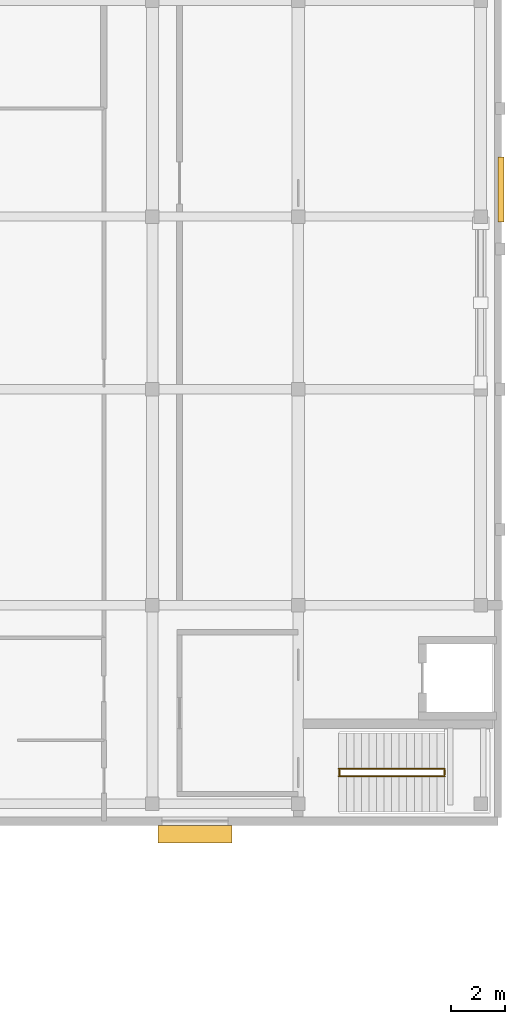
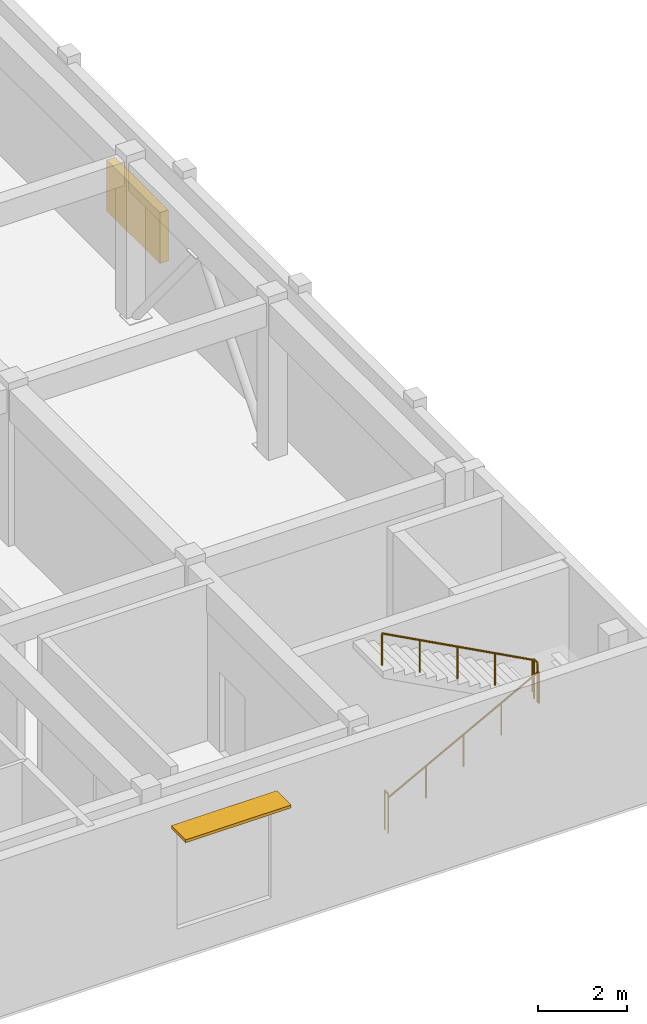
# One storey, part 10 of 11: 4 railings, 2 shading devices.
"""IFC4 building model written with IfcOpenShell, lengths in metres."""

import ifcopenshell
import ifcopenshell.guid

model = None  # the IFC model being written
_history = None  # IfcOwnerHistory: only IFC2X3 demands one
_inside = {}  # id of a spatial element -> (the spatial element, [elements in it])
_under = {}  # id of a project, library or spatial element -> (it, [spatial elements below it])
_declared = {}  # id of a project -> (the project, [libraries it declares])
_typed = {}  # id of a type object -> (the type object, [elements of that type])
_made_of = {}  # id of a material, layer set ... -> (it, [elements and type objects made of it])


def new_model(schema):
    """Start an empty IFC model of exactly this schema.

    Asked for "IFC4X3", IfcOpenShell would pick the latest addendum, in which some entities
    have other attributes; the version numbers below select the first issue.
    IFC2X3 requires an IfcOwnerHistory on every rooted entity: one is made here for all.
    """
    global model, _history
    if schema == "IFC4X3":
        model = ifcopenshell.file(schema_version=(4, 3, 0, 0))
    else:
        model = ifcopenshell.file(schema=schema)
    _inside.clear()
    _under.clear()
    _declared.clear()
    _typed.clear()
    _made_of.clear()
    _history = None
    if model.schema == "IFC2X3":
        org = make("IfcOrganization", Name="unknown")
        user = make(
            "IfcPersonAndOrganization",
            ThePerson=make("IfcPerson", FamilyName="unknown"),
            TheOrganization=org,
        )
        app = make(
            "IfcApplication",
            ApplicationDeveloper=org,
            Version="unknown",
            ApplicationFullName="unknown",
            ApplicationIdentifier="unknown",
        )
        _history = make(
            "IfcOwnerHistory",
            OwningUser=user,
            OwningApplication=app,
            ChangeAction="ADDED",
            CreationDate=0,
        )
    return model


def make(cls, **values):
    """One entity of the class cls with the attributes given. An attribute that is None is left unset."""
    return model.create_entity(
        cls, **{name: value for name, value in values.items() if value is not None}
    )


def rooted(cls, **values):
    """An entity with a GlobalId (a new one), such as an element, a storey or a relation."""
    return make(cls, GlobalId=ifcopenshell.guid.new(), OwnerHistory=_history, **values)


def si_unit(unit_type, name, prefix=None):
    """IfcSIUnit, for example si_unit("LENGTHUNIT", "METRE", prefix="MILLI")."""
    return make("IfcSIUnit", UnitType=unit_type, Prefix=prefix, Name=name)


def assignment(units):
    """IfcUnitAssignment: the units of a project."""
    return None if units is None else make("IfcUnitAssignment", Units=units)


def point(xyz):
    """IfcCartesianPoint."""
    return None if xyz is None else make("IfcCartesianPoint", Coordinates=xyz)


def direction(xyz):
    """IfcDirection."""
    return None if xyz is None else make("IfcDirection", DirectionRatios=xyz)


def frame(location, z_axis=None, x_axis=None):
    """IfcAxis2Placement3D, a coordinate frame: its origin and axes. An axis left out is left unset."""
    return make(
        "IfcAxis2Placement3D",
        Location=point(location),
        Axis=direction(z_axis),
        RefDirection=direction(x_axis),
    )


def frame_2d(location, x_axis=None):
    """IfcAxis2Placement2D, a coordinate frame in the plane: its origin and x axis."""
    return make(
        "IfcAxis2Placement2D", Location=point(location), RefDirection=direction(x_axis)
    )


def origin():
    """The frame at (0, 0, 0) with its axes left unset."""
    return frame((0.0, 0.0, 0.0))


def origin_2d():
    """The frame at (0, 0) in the plane with its x axis left unset."""
    return frame_2d((0.0, 0.0))


def place(relative_to, where):
    """IfcLocalPlacement: puts the frame where relative to a parent placement (None: the world)."""
    return make(
        "IfcLocalPlacement", PlacementRelTo=relative_to, RelativePlacement=where
    )


def context(
    kind, dimensions, precision=None, world=None, true_north=None, identifier=None
):
    """IfcGeometricRepresentationContext, for example the 3D "Model" context."""
    return make(
        "IfcGeometricRepresentationContext",
        ContextIdentifier=identifier,
        ContextType=kind,
        CoordinateSpaceDimension=dimensions,
        Precision=precision,
        WorldCoordinateSystem=world,
        TrueNorth=true_north,
    )


def subcontext(parent, identifier, kind, view, scale=None):
    """IfcGeometricRepresentationSubContext, for example "Body" below "Model"."""
    return make(
        "IfcGeometricRepresentationSubContext",
        ContextIdentifier=identifier,
        ContextType=kind,
        ParentContext=parent,
        TargetScale=scale,
        TargetView=view,
    )


def project(units=None, contexts=None):
    """IfcProject with its units and contexts."""
    return rooted(
        "IfcProject",
        Name="project",
        RepresentationContexts=contexts,
        UnitsInContext=assignment(units),
    )


def spatial(cls, under=None, at=None, **own):
    """A site, building, storey or space (cls), placed at a placement, below another one or the project."""
    s = rooted(cls, ObjectPlacement=at, **own)
    if under is not None:
        _under.setdefault(under.id(), (under, []))[1].append(s)
    return s


def profile(cls, at=None, kind="AREA", **sizes):
    """A parametric profile (cls). Its sizes go by their IFC names, for example OverallWidth=200.0."""
    return make(cls, ProfileType=kind, Position=at, **sizes)


def rectangle(**sizes):
    """IfcRectangleProfileDef."""
    return profile("IfcRectangleProfileDef", **sizes)


def circle(**sizes):
    """IfcCircleProfileDef."""
    return profile("IfcCircleProfileDef", **sizes)


def extrude(swept, where, along, depth):
    """IfcExtrudedAreaSolid: the profile swept, set in the frame where, extruded along a direction by depth."""
    return make(
        "IfcExtrudedAreaSolid",
        SweptArea=swept,
        Position=where,
        ExtrudedDirection=direction(along),
        Depth=depth,
    )


def shape(context_of_items, identifier, shape_type, items):
    """IfcShapeRepresentation: the items that make up one representation, for example the "Body"."""
    return make(
        "IfcShapeRepresentation",
        ContextOfItems=context_of_items,
        RepresentationIdentifier=identifier,
        RepresentationType=shape_type,
        Items=items,
    )


def material(Name=None, Category=None):
    """IfcMaterial."""
    return make("IfcMaterial", Name=Name, Category=Category)


def made_of(thing, what):
    """Note that an element or type object is made of a material, layer set ...; save() writes the relation."""
    if what is not None:
        _made_of.setdefault(what.id(), (what, []))[1].append(thing)
    return thing


def type_object(cls, material=None, **own):
    """A type object (cls), such as IfcWallType, which elements share."""
    return made_of(rooted(cls, **own), material)


def element(
    cls,
    number,
    at=None,
    inside=None,
    cuts=None,
    type_object=None,
    material=None,
    context=None,
    identifier="Body",
    shape_type=None,
    held_by="IfcProductDefinitionShape",
    body=None,
    shapes=None,
    **own,
):
    """One element of the class cls, such as IfcWall. Its Tag is "e" and its number.

    at: its placement. inside: the storey or other place that contains it. cuts: it is an
    opening in that element (IfcRelVoidsElement). A single representation is given by context,
    identifier, shape_type and body (its items); several are given by shapes. held_by: the class
    of the entity that holds the representations. save() writes the other relations.
    """
    e = rooted(cls, Tag="e%d" % number, ObjectPlacement=at, **own)
    if body is not None:
        shapes = [shape(context, identifier, shape_type, body)]
    if shapes is not None:
        e.Representation = make(held_by, Representations=shapes)
    if inside is not None:
        _inside.setdefault(inside.id(), (inside, []))[1].append(e)
    if cuts is not None:
        rooted(
            "IfcRelVoidsElement", RelatingBuildingElement=cuts, RelatedOpeningElement=e
        )
    if type_object is not None:
        _typed.setdefault(type_object.id(), (type_object, []))[1].append(e)
    return made_of(e, material)


def aggregate(whole, parts):
    """IfcRelAggregates: a whole, such as a stair, and the parts it consists of."""
    return rooted("IfcRelAggregates", RelatingObject=whole, RelatedObjects=parts)


def save(model, path):
    """Write the relations noted so far, then the file.

    IfcRelAggregates (storeys below a building ...), IfcRelContainedInSpatialStructure (elements
    in a storey), IfcRelDefinesByType, IfcRelAssociatesMaterial and IfcRelDeclares: one each for
    every whole, place, type object, material and project.
    """
    for whole, parts in _under.values():
        aggregate(whole, parts)
    for where, things in _inside.values():
        rooted(
            "IfcRelContainedInSpatialStructure",
            RelatedElements=things,
            RelatingStructure=where,
        )
    for kind, things in _typed.values():
        rooted("IfcRelDefinesByType", RelatedObjects=things, RelatingType=kind)
    for what, things in _made_of.values():
        rooted("IfcRelAssociatesMaterial", RelatedObjects=things, RelatingMaterial=what)
    for by, libraries in _declared.values():
        rooted("IfcRelDeclares", RelatingContext=by, RelatedDefinitions=libraries)
    model.write(path)


model = new_model("IFC4")

# Units and contexts
model_context = context("Model", 3, precision=1e-05, world=origin(), true_north=direction((0.0, 1.0)))
body_context = subcontext(model_context, "Body", "Model", "MODEL_VIEW")
ifc_project = project(units=[si_unit("LENGTHUNIT", "METRE"), si_unit("AREAUNIT", "SQUARE_METRE"), si_unit("VOLUMEUNIT", "CUBIC_METRE"), si_unit("PLANEANGLEUNIT", "RADIAN"), si_unit("MASSUNIT", "GRAM", prefix="KILO")], contexts=[model_context])

# Site, building, storey
site_placement = place(None, origin())
site = spatial("IfcSite", under=ifc_project, at=site_placement, CompositionType="ELEMENT")
building_placement = place(site_placement, origin())
building = spatial("IfcBuilding", under=site, at=building_placement, Name="Cinchona Park Media Centre", CompositionType="ELEMENT")
storey_placement = place(building_placement, frame((0.0, 0.0, 24.89990234375)))
storey = spatial("IfcBuildingStorey", under=building, at=storey_placement, Name="L05", CompositionType="ELEMENT", Elevation=24.89990234375)

# Railings
ifc_material_1 = material(Name="Painted Steel Stairwell Guardrail", Category="steel")
railing_type_1 = type_object("IfcRailingType", Name="RAILING-GR02", PredefinedType="GUARDRAIL", material=ifc_material_1)
for number, where, name in (
    (1, (166.135009765625, 73.320068359375, 0.0), "Stairwell Guardrail GR02 ST1 L05"),
    (2, (170.02001953125, 73.320068359375, 2.25), "Half-Landing Guardrail GR02 ST1 L05"),
):
    element("IfcRailing", number, at=place(storey_placement, frame(where)), inside=storey, type_object=railing_type_1, Name=name, PredefinedType="GUARDRAIL", context=body_context, shape_type="SweptSolid", body=[
        extrude(circle(Radius=0.02392578125, at=origin_2d()), frame((0.0, 0.0, 1.076171875), z_axis=(0.0, 1.0, 0.0), x_axis=(-1.0, 0.0, 0.0)), (0.0, 0.0, 1.0), 0.159912109375),
        extrude(circle(Radius=0.02099609375, at=origin_2d()), origin(), (0.0, 0.0, 1.0), 1.052001953125),
        extrude(circle(Radius=0.02099609375, at=origin_2d()), frame((0.0, 0.159912109375, 0.0)), (0.0, 0.0, 1.0), 1.052001953125),
    ])
ifc_material_2 = material(Name="Brushed Stainless Steel Handrail", Category="steel")
railing_type_2 = type_object("IfcRailingType", Name="RAILING-HR01", PredefinedType="HANDRAIL", material=ifc_material_2)
railing_1_placement = place(storey_placement, frame((166.10009765625, 73.260009765625, 0.150146484375)))
element("IfcRailing", 3, at=railing_1_placement, inside=storey, type_object=railing_type_2, Name="Stair Handrail HR01 ST1 L05 F1", PredefinedType="HANDRAIL", context=body_context, shape_type="SweptSolid", body=[
    extrude(circle(Radius=0.02392578125, at=origin_2d()), frame((0.0, 0.0, 0.8759765625), z_axis=(0.881489763865, 0.0, 0.472203130232), x_axis=(0.0, 1.0, 0.0)), (0.0, 0.0, 1.0), 4.447021484375),
    extrude(circle(Radius=0.02099609375, at=origin_2d()), origin(), (0.0, 0.0, 1.0), 0.851806640625),
    extrude(circle(Radius=0.02099609375, at=origin_2d()), frame((0.97998046875, 0.0, 0.52490234375)), (0.0, 0.0, 1.0), 0.851806640625),
    extrude(circle(Radius=0.02099609375, at=origin_2d()), frame((1.9599609375, 0.0, 1.0498046875)), (0.0, 0.0, 1.0), 0.851806640625),
    extrude(circle(Radius=0.02099609375, at=origin_2d()), frame((2.93994140625, 0.0, 1.574951171875)), (0.0, 0.0, 1.0), 0.851806640625),
    extrude(circle(Radius=0.02099609375, at=origin_2d()), frame((3.919921875, 0.0, 2.099853515625)), (0.0, 0.0, 1.0), 0.851806640625),
])
railing_2_placement = place(storey_placement, frame((170.02001953125, 73.5400390625, 2.400146484375)))
element("IfcRailing", 4, at=railing_2_placement, inside=storey, type_object=railing_type_2, Name="Stair Handrail HR01 ST1 L05 F2", PredefinedType="HANDRAIL", context=body_context, shape_type="SweptSolid", body=[
    extrude(circle(Radius=0.02392578125, at=origin_2d()), frame((0.0, 0.0, 0.8759765625), z_axis=(-0.881489763865, 0.0, 0.472203130232), x_axis=(0.0, -1.0, 0.0)), (0.0, 0.0, 1.0), 4.447021484375),
    extrude(circle(Radius=0.02099609375, at=origin_2d()), origin(), (0.0, 0.0, 1.0), 0.851806640625),
    extrude(circle(Radius=0.02099609375, at=origin_2d()), frame((-0.97998046875, 0.0, 0.52490234375)), (0.0, 0.0, 1.0), 0.851806640625),
    extrude(circle(Radius=0.02099609375, at=origin_2d()), frame((-1.9599609375, 0.0, 1.0498046875)), (0.0, 0.0, 1.0), 0.851806640625),
    extrude(circle(Radius=0.02099609375, at=origin_2d()), frame((-2.93994140625, 0.0, 1.574951171875)), (0.0, 0.0, 1.0), 0.851806640625),
    extrude(circle(Radius=0.02099609375, at=origin_2d()), frame((-3.919921875, 0.0, 2.099853515625)), (0.0, 0.0, 1.0), 0.851806640625),
])

# Shading devices
ifc_material_3 = material(Name="Hurricane Acoustic Aluminium Storm Louvre", Category="aluminium")
shading_device_type_1 = type_object("IfcShadingDeviceType", Name="SHADING-LOUV01", PredefinedType="JALOUSIE", material=ifc_material_3)
shading_device_1_placement = place(storey_placement, frame((172.1201171875, 95.0, 1.2001953125), z_axis=(0.0, 0.0, 1.0), x_axis=(0.0, 1.0, 0.0)))
element("IfcShadingDevice", 5, at=shading_device_1_placement, inside=storey, type_object=shading_device_type_1, Name="Acoustic Plant Storm Louvre 4", PredefinedType="JALOUSIE", context=body_context, shape_type="SweptSolid", body=[
    extrude(rectangle(XDim=2.39990234375, YDim=0.219970703125, at=origin_2d()), origin(), (0.0, 0.0, 1.0), 1.39990234375),
])
ifc_material_4 = material(Name="Anodised Aluminium Horizontal Brise-Soleil", Category="aluminium")
shading_device_type_2 = type_object("IfcShadingDeviceType", Name="SHADING-SUN01", PredefinedType="AWNING", material=ifc_material_4)
shading_device_2_placement = place(storey_placement, frame((160.77490234375, 71.1201171875, 3.6201171875), z_axis=(0.0, 0.0, 1.0), x_axis=(-1.0, 0.0, 0.0)))
element("IfcShadingDevice", 6, at=shading_device_2_placement, inside=storey, type_object=shading_device_type_2, Name="Horizontal Sunshade SHD02 L05", PredefinedType="AWNING", context=body_context, shape_type="SweptSolid", body=[
    extrude(rectangle(XDim=2.75, YDim=0.64990234375, at=origin_2d()), origin(), (0.0, 0.0, 1.0), 0.080078125),
])

save(model, "model.ifc")
